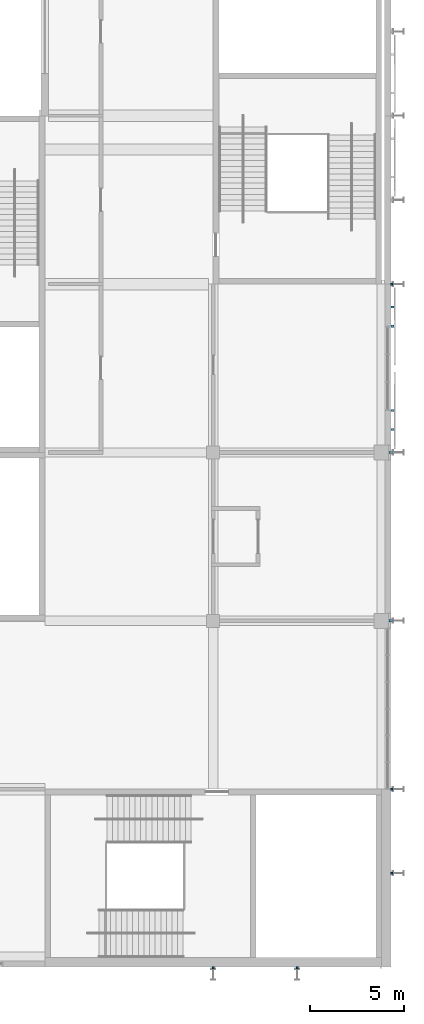
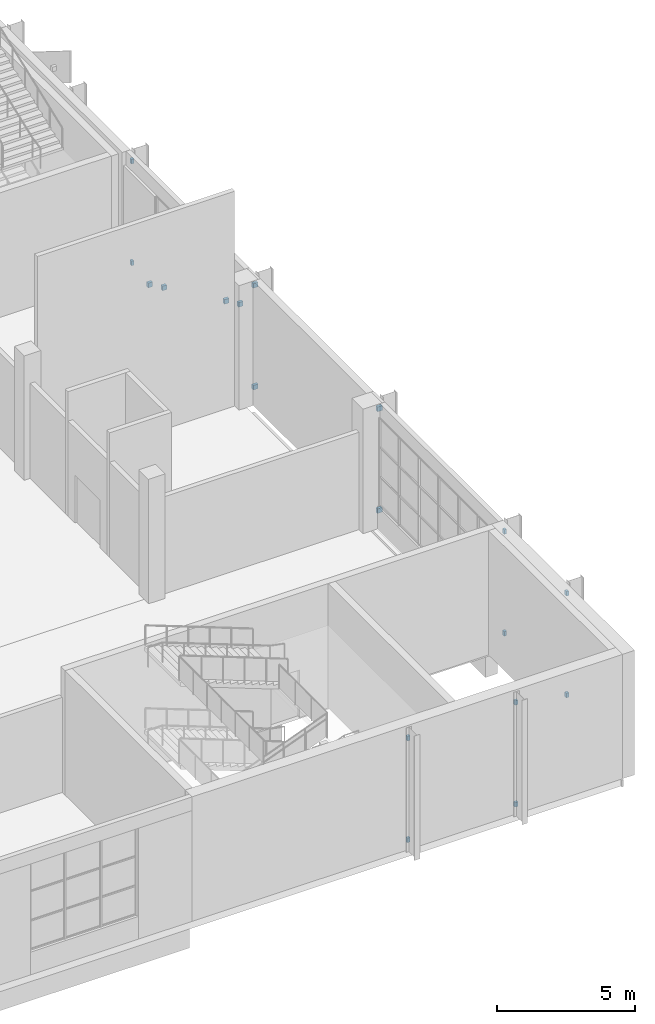
# One storey, part 56 of 84: 18 discrete accessories.
"""IFC4 building model written with IfcOpenShell, lengths in metres."""

import ifcopenshell
import ifcopenshell.guid

model = None  # the IFC model being written
_history = None  # IfcOwnerHistory: only IFC2X3 demands one
_inside = {}  # id of a spatial element -> (the spatial element, [elements in it])
_under = {}  # id of a project, library or spatial element -> (it, [spatial elements below it])
_declared = {}  # id of a project -> (the project, [libraries it declares])
_typed = {}  # id of a type object -> (the type object, [elements of that type])
_made_of = {}  # id of a material, layer set ... -> (it, [elements and type objects made of it])


def new_model(schema):
    """Start an empty IFC model of exactly this schema.

    Asked for "IFC4X3", IfcOpenShell would pick the latest addendum, in which some entities
    have other attributes; the version numbers below select the first issue.
    IFC2X3 requires an IfcOwnerHistory on every rooted entity: one is made here for all.
    """
    global model, _history
    if schema == "IFC4X3":
        model = ifcopenshell.file(schema_version=(4, 3, 0, 0))
    else:
        model = ifcopenshell.file(schema=schema)
    _inside.clear()
    _under.clear()
    _declared.clear()
    _typed.clear()
    _made_of.clear()
    _history = None
    if model.schema == "IFC2X3":
        org = make("IfcOrganization", Name="unknown")
        user = make(
            "IfcPersonAndOrganization",
            ThePerson=make("IfcPerson", FamilyName="unknown"),
            TheOrganization=org,
        )
        app = make(
            "IfcApplication",
            ApplicationDeveloper=org,
            Version="unknown",
            ApplicationFullName="unknown",
            ApplicationIdentifier="unknown",
        )
        _history = make(
            "IfcOwnerHistory",
            OwningUser=user,
            OwningApplication=app,
            ChangeAction="ADDED",
            CreationDate=0,
        )
    return model


def make(cls, **values):
    """One entity of the class cls with the attributes given. An attribute that is None is left unset."""
    return model.create_entity(
        cls, **{name: value for name, value in values.items() if value is not None}
    )


def rooted(cls, **values):
    """An entity with a GlobalId (a new one), such as an element, a storey or a relation."""
    return make(cls, GlobalId=ifcopenshell.guid.new(), OwnerHistory=_history, **values)


def si_unit(unit_type, name, prefix=None):
    """IfcSIUnit, for example si_unit("LENGTHUNIT", "METRE", prefix="MILLI")."""
    return make("IfcSIUnit", UnitType=unit_type, Prefix=prefix, Name=name)


def assignment(units):
    """IfcUnitAssignment: the units of a project."""
    return None if units is None else make("IfcUnitAssignment", Units=units)


def point(xyz):
    """IfcCartesianPoint."""
    return None if xyz is None else make("IfcCartesianPoint", Coordinates=xyz)


def direction(xyz):
    """IfcDirection."""
    return None if xyz is None else make("IfcDirection", DirectionRatios=xyz)


def frame(location, z_axis=None, x_axis=None):
    """IfcAxis2Placement3D, a coordinate frame: its origin and axes. An axis left out is left unset."""
    return make(
        "IfcAxis2Placement3D",
        Location=point(location),
        Axis=direction(z_axis),
        RefDirection=direction(x_axis),
    )


def frame_2d(location, x_axis=None):
    """IfcAxis2Placement2D, a coordinate frame in the plane: its origin and x axis."""
    return make(
        "IfcAxis2Placement2D", Location=point(location), RefDirection=direction(x_axis)
    )


def origin():
    """The frame at (0, 0, 0) with its axes left unset."""
    return frame((0.0, 0.0, 0.0))


def origin_2d():
    """The frame at (0, 0) in the plane with its x axis left unset."""
    return frame_2d((0.0, 0.0))


def place(relative_to, where):
    """IfcLocalPlacement: puts the frame where relative to a parent placement (None: the world)."""
    return make(
        "IfcLocalPlacement", PlacementRelTo=relative_to, RelativePlacement=where
    )


def context(
    kind, dimensions, precision=None, world=None, true_north=None, identifier=None
):
    """IfcGeometricRepresentationContext, for example the 3D "Model" context."""
    return make(
        "IfcGeometricRepresentationContext",
        ContextIdentifier=identifier,
        ContextType=kind,
        CoordinateSpaceDimension=dimensions,
        Precision=precision,
        WorldCoordinateSystem=world,
        TrueNorth=true_north,
    )


def subcontext(parent, identifier, kind, view, scale=None):
    """IfcGeometricRepresentationSubContext, for example "Body" below "Model"."""
    return make(
        "IfcGeometricRepresentationSubContext",
        ContextIdentifier=identifier,
        ContextType=kind,
        ParentContext=parent,
        TargetScale=scale,
        TargetView=view,
    )


def project(units=None, contexts=None):
    """IfcProject with its units and contexts."""
    return rooted(
        "IfcProject",
        Name="project",
        RepresentationContexts=contexts,
        UnitsInContext=assignment(units),
    )


def spatial(cls, under=None, at=None, **own):
    """A site, building, storey or space (cls), placed at a placement, below another one or the project."""
    s = rooted(cls, ObjectPlacement=at, **own)
    if under is not None:
        _under.setdefault(under.id(), (under, []))[1].append(s)
    return s


def profile(cls, at=None, kind="AREA", **sizes):
    """A parametric profile (cls). Its sizes go by their IFC names, for example OverallWidth=200.0."""
    return make(cls, ProfileType=kind, Position=at, **sizes)


def rectangle(**sizes):
    """IfcRectangleProfileDef."""
    return profile("IfcRectangleProfileDef", **sizes)


def extrude(swept, where, along, depth):
    """IfcExtrudedAreaSolid: the profile swept, set in the frame where, extruded along a direction by depth."""
    return make(
        "IfcExtrudedAreaSolid",
        SweptArea=swept,
        Position=where,
        ExtrudedDirection=direction(along),
        Depth=depth,
    )


def shape(context_of_items, identifier, shape_type, items):
    """IfcShapeRepresentation: the items that make up one representation, for example the "Body"."""
    return make(
        "IfcShapeRepresentation",
        ContextOfItems=context_of_items,
        RepresentationIdentifier=identifier,
        RepresentationType=shape_type,
        Items=items,
    )


def material(Name=None, Category=None):
    """IfcMaterial."""
    return make("IfcMaterial", Name=Name, Category=Category)


def made_of(thing, what):
    """Note that an element or type object is made of a material, layer set ...; save() writes the relation."""
    if what is not None:
        _made_of.setdefault(what.id(), (what, []))[1].append(thing)
    return thing


def type_object(cls, material=None, **own):
    """A type object (cls), such as IfcWallType, which elements share."""
    return made_of(rooted(cls, **own), material)


def element(
    cls,
    number,
    at=None,
    inside=None,
    cuts=None,
    type_object=None,
    material=None,
    context=None,
    identifier="Body",
    shape_type=None,
    held_by="IfcProductDefinitionShape",
    body=None,
    shapes=None,
    **own,
):
    """One element of the class cls, such as IfcWall. Its Tag is "e" and its number.

    at: its placement. inside: the storey or other place that contains it. cuts: it is an
    opening in that element (IfcRelVoidsElement). A single representation is given by context,
    identifier, shape_type and body (its items); several are given by shapes. held_by: the class
    of the entity that holds the representations. save() writes the other relations.
    """
    e = rooted(cls, Tag="e%d" % number, ObjectPlacement=at, **own)
    if body is not None:
        shapes = [shape(context, identifier, shape_type, body)]
    if shapes is not None:
        e.Representation = make(held_by, Representations=shapes)
    if inside is not None:
        _inside.setdefault(inside.id(), (inside, []))[1].append(e)
    if cuts is not None:
        rooted(
            "IfcRelVoidsElement", RelatingBuildingElement=cuts, RelatedOpeningElement=e
        )
    if type_object is not None:
        _typed.setdefault(type_object.id(), (type_object, []))[1].append(e)
    return made_of(e, material)


def aggregate(whole, parts):
    """IfcRelAggregates: a whole, such as a stair, and the parts it consists of."""
    return rooted("IfcRelAggregates", RelatingObject=whole, RelatedObjects=parts)


def save(model, path):
    """Write the relations noted so far, then the file.

    IfcRelAggregates (storeys below a building ...), IfcRelContainedInSpatialStructure (elements
    in a storey), IfcRelDefinesByType, IfcRelAssociatesMaterial and IfcRelDeclares: one each for
    every whole, place, type object, material and project.
    """
    for whole, parts in _under.values():
        aggregate(whole, parts)
    for where, things in _inside.values():
        rooted(
            "IfcRelContainedInSpatialStructure",
            RelatedElements=things,
            RelatingStructure=where,
        )
    for kind, things in _typed.values():
        rooted("IfcRelDefinesByType", RelatedObjects=things, RelatingType=kind)
    for what, things in _made_of.values():
        rooted("IfcRelAssociatesMaterial", RelatedObjects=things, RelatingMaterial=what)
    for by, libraries in _declared.values():
        rooted("IfcRelDeclares", RelatingContext=by, RelatedDefinitions=libraries)
    model.write(path)


model = new_model("IFC4")

# Units and contexts
model_context = context("Model", 3, precision=1e-05, world=origin(), true_north=direction((0.0, 1.0)))
body_context = subcontext(model_context, "Body", "Model", "MODEL_VIEW")
ifc_project = project(units=[si_unit("LENGTHUNIT", "METRE"), si_unit("AREAUNIT", "SQUARE_METRE"), si_unit("VOLUMEUNIT", "CUBIC_METRE"), si_unit("PLANEANGLEUNIT", "RADIAN"), si_unit("MASSUNIT", "GRAM", prefix="KILO")], contexts=[model_context])

# Site, building, storey
site_placement = place(None, origin())
site = spatial("IfcSite", under=ifc_project, at=site_placement, CompositionType="ELEMENT")
building_placement = place(site_placement, origin())
building = spatial("IfcBuilding", under=site, at=building_placement, Name="Silverbay Arena", CompositionType="ELEMENT")
storey_placement = place(building_placement, frame((0.0, 0.0, 28.0)))
storey = spatial("IfcBuildingStorey", under=building, at=storey_placement, Name="L04", CompositionType="ELEMENT", Elevation=28.0)

# Discrete accessories
ifc_material = material(Name="Steel S355", Category="steel")
discrete_accessory_type = type_object("IfcDiscreteAccessoryType", Name="Steel bracket plate", PredefinedType="BRACKET", material=ifc_material)
for number, where, z_axis, x_axis, name in (
    (1, (198.0, 17.449951171875, 0.39990234375), (0.0, 0.0, 1.0), (1.0, 0.0, 0.0), "Fin bracket"),
    (2, (198.0, 17.449951171875, 4.89990234375), (0.0, 0.0, 1.0), (1.0, 0.0, 0.0), "Fin bracket"),
    (3, (202.5, 17.449951171875, 0.39990234375), (0.0, 0.0, 1.0), (1.0, 0.0, 0.0), "Fin bracket"),
    (4, (202.5, 17.449951171875, 4.89990234375), (0.0, 0.0, 1.0), (1.0, 0.0, 0.0), "Fin bracket"),
):
    element("IfcDiscreteAccessory", number, at=place(storey_placement, frame(where, z_axis=z_axis, x_axis=x_axis)), inside=storey, type_object=discrete_accessory_type, Name=name, PredefinedType="BRACKET", context=body_context, shape_type="SweptSolid", body=[
        extrude(rectangle(XDim=0.1201171875, YDim=0.10009765625, at=origin_2d()), origin(), (0.0, 0.0, 1.0), 0.199951171875),
    ])
for number, where, z_axis, x_axis, name in (
    (5, (207.550048828125, 22.5, 0.39990234375), (0.0, 0.0, 1.0), (1.0, 0.0, 0.0), "Fin bracket"),
    (6, (207.550048828125, 22.5, 4.89990234375), (0.0, 0.0, 1.0), (1.0, 0.0, 0.0), "Fin bracket"),
    (7, (207.550048828125, 27.0, 0.39990234375), (0.0, 0.0, 1.0), (1.0, 0.0, 0.0), "Fin bracket"),
    (8, (207.550048828125, 27.0, 4.89990234375), (0.0, 0.0, 1.0), (1.0, 0.0, 0.0), "Fin bracket"),
):
    element("IfcDiscreteAccessory", number, at=place(storey_placement, frame(where, z_axis=z_axis, x_axis=x_axis)), inside=storey, type_object=discrete_accessory_type, Name=name, PredefinedType="BRACKET", context=body_context, shape_type="SweptSolid", body=[
        extrude(rectangle(XDim=0.10009765625, YDim=0.1201171875, at=origin_2d()), origin(), (0.0, 0.0, 1.0), 0.199951171875),
    ])
for number, where, z_axis, x_axis, name in (
    (9, (207.5, 36.0, 0.39990234375), (0.0, 0.0, 1.0), (1.0, 0.0, 0.0), "Fin bracket"),
    (10, (207.5, 36.0, 4.89990234375), (0.0, 0.0, 1.0), (1.0, 0.0, 0.0), "Fin bracket"),
    (11, (207.5, 45.0, 0.39990234375), (0.0, 0.0, 1.0), (1.0, 0.0, 0.0), "Fin bracket"),
    (12, (207.5, 45.0, 4.89990234375), (0.0, 0.0, 1.0), (1.0, 0.0, 0.0), "Fin bracket"),
):
    element("IfcDiscreteAccessory", number, at=place(storey_placement, frame(where, z_axis=z_axis, x_axis=x_axis)), inside=storey, type_object=discrete_accessory_type, Name=name, PredefinedType="BRACKET", context=body_context, shape_type="SweptSolid", body=[
        extrude(rectangle(XDim=0.199951171875, YDim=0.1201171875, at=origin_2d()), origin(), (0.0, 0.0, 1.0), 0.199951171875),
    ])
for number, where, z_axis, x_axis, name in (
    (13, (207.550048828125, 54.0, 0.39990234375), (0.0, 0.0, 1.0), (1.0, 0.0, 0.0), "Fin bracket"),
    (14, (207.550048828125, 54.0, 4.89990234375), (0.0, 0.0, 1.0), (1.0, 0.0, 0.0), "Fin bracket"),
):
    element("IfcDiscreteAccessory", number, at=place(storey_placement, frame(where, z_axis=z_axis, x_axis=x_axis)), inside=storey, type_object=discrete_accessory_type, Name=name, PredefinedType="BRACKET", context=body_context, shape_type="SweptSolid", body=[
        extrude(rectangle(XDim=0.10009765625, YDim=0.1201171875, at=origin_2d()), origin(), (0.0, 0.0, 1.0), 0.199951171875),
    ])
for number, where, z_axis, x_axis, name in (
    (15, (207.590087890625, 46.22509765625, 3.2822265625), (0.0, 0.0, 1.0), (1.0, 0.0, 0.0), "Band bracket"),
    (16, (207.590087890625, 47.25, 2.79541015625), (0.0, 0.0, 1.0), (1.0, 0.0, 0.0), "Band bracket"),
    (17, (207.590087890625, 52.77490234375, 0.1708984375), (0.0, 0.0, 1.0), (1.0, 0.0, 0.0), "Band bracket"),
    (18, (207.590087890625, 51.75, 0.658203125), (0.0, 0.0, 1.0), (1.0, 0.0, 0.0), "Band bracket"),
):
    element("IfcDiscreteAccessory", number, at=place(storey_placement, frame(where, z_axis=z_axis, x_axis=x_axis)), inside=storey, type_object=discrete_accessory_type, Name=name, PredefinedType="BRACKET", context=body_context, shape_type="SweptSolid", body=[
        extrude(rectangle(XDim=0.179931640625, YDim=0.1201171875, at=origin_2d()), origin(), (0.0, 0.0, 1.0), 0.199951171875),
    ])

save(model, "model.ifc")
